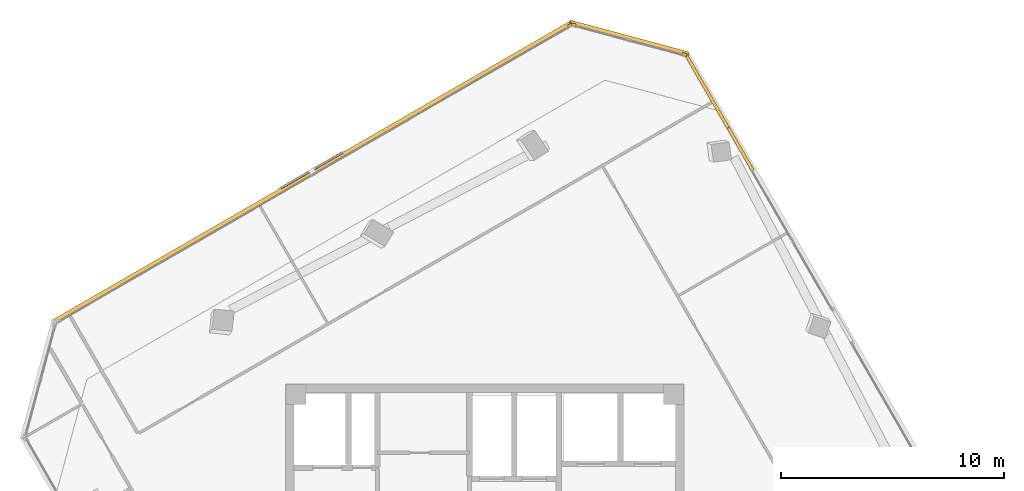
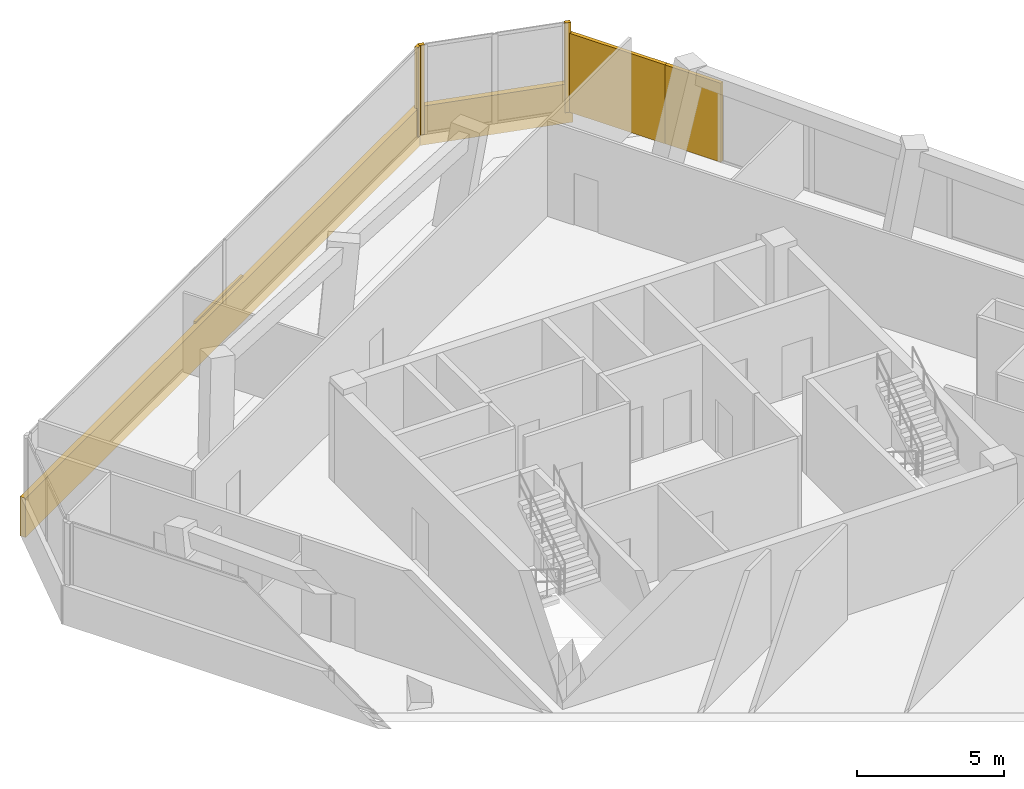
# One storey, part 15 of 15: 7 coverings, 1 shading device.
"""IFC4 building model written with IfcOpenShell, lengths in metres."""

from ifc_helpers import new_model, si_unit, direction, frame, origin, origin_2d, place, context, subcontext, project, spatial, rectangle, extrude, source, transform, mapped, material, layer, layer_set, type_object, element, save


model = new_model("IFC4")

# Units and contexts
model_context = context("Model", 3, precision=1e-05, world=origin(), true_north=direction((0.0, 1.0)))
body_context = subcontext(model_context, "Body", "Model", "MODEL_VIEW")
ifc_project = project(units=[si_unit("LENGTHUNIT", "METRE"), si_unit("AREAUNIT", "SQUARE_METRE"), si_unit("VOLUMEUNIT", "CUBIC_METRE"), si_unit("PLANEANGLEUNIT", "RADIAN"), si_unit("MASSUNIT", "GRAM", prefix="KILO")], contexts=[model_context])

# Site, building, storey
site_placement = place(None, origin())
site = spatial("IfcSite", under=ifc_project, at=site_placement, CompositionType="ELEMENT")
building_placement = place(site_placement, origin())
building = spatial("IfcBuilding", under=site, at=building_placement, Name="Torre Montelarca", CompositionType="ELEMENT")
storey_placement = place(building_placement, frame((0.0, 0.0, 324.0)))
storey = spatial("IfcBuildingStorey", under=building, at=storey_placement, Name="L73", CompositionType="ELEMENT", Elevation=324.0)

# Shading device
ifc_material_1 = material(Name="Architectural perforated terracotta ceramic", Category="masonry")
ifc_layer_1 = layer(ifc_material_1, 0.080078125, Name="Architectural perforated terracotta ceramic", Category="masonry")
ifc_layer_set_1 = layer_set([ifc_layer_1], Name="Architectural perforated terracotta ceramic")
shading_device_type = type_object("IfcShadingDeviceType", Name="SHD-JALOUSIE-1", PredefinedType="JALOUSIE", material=ifc_layer_set_1)
shared_shape_1 = source(origin(), body_context, "Body", "SweptSolid", [
    extrude(rectangle(XDim=3.199951171875, YDim=0.10009765625, at=origin_2d()), origin(), (0.0, 0.0, 1.0), 1.25),
])
shading_device_placement = place(storey_placement, frame((10.243896484375, 49.49609375, -0.0048828125), z_axis=(0.0, 0.0, 1.0), x_axis=(-0.866025403784, -0.5, 0.0)))
element("IfcShadingDevice", 1, at=shading_device_placement, inside=storey, type_object=shading_device_type, Name="L73 Facade Solar Shading Device E10", PredefinedType="JALOUSIE", context=body_context, shape_type="MappedRepresentation", body=[
    mapped(shared_shape_1, transform((0.0, 0.0, 0.0), scale=1.0)),
])

# Coverings
ifc_material_2 = material(Name="Bush-hammered warm white precast concrete C45/55", Category="concrete")
ifc_layer_2 = layer(ifc_material_2, 0.139892578125, Name="Bush-hammered warm white precast concrete C45/55", Category="concrete")
ifc_layer_set_2 = layer_set([ifc_layer_2], Name="Bush-hammered warm white precast concrete C45/55")
covering_type = type_object("IfcCoveringType", Name="COV-TRAY-CLAD", PredefinedType="CLADDING", material=ifc_layer_set_2)
shared_shape_2 = source(origin(), body_context, "Body", "SweptSolid", [
    extrude(rectangle(XDim=0.199951171875, YDim=0.139892578125, at=origin_2d()), origin(), (0.0, 0.0, 1.0), 3.719970703125),
])
for number, where, z_axis, x_axis, name in (
    (2, (26.9443359375, 54.678955078125, 0.0), (0.0, 0.0, 1.0), (-0.965925374563, 0.258820730961, 0.0), "L73 Architectural Column Pier Cladding E09-1"),
    (3, (21.977294921875, 56.009765625, 0.0), (0.0, 0.0, 1.0), (-0.965925374563, 0.258820730961, 0.0), "L73 Architectural Column Pier Cladding E09-2"),
    (4, (21.83349609375, 55.99072265625, 0.0), (0.0, 0.0, 1.0), (-0.866025403784, -0.5, 0.0), "L73 Architectural Column Pier Cladding E10-1"),
):
    element("IfcCovering", number, at=place(storey_placement, frame(where, z_axis=z_axis, x_axis=x_axis)), inside=storey, type_object=covering_type, Name=name, PredefinedType="CLADDING", context=body_context, shape_type="MappedRepresentation", body=[
        mapped(shared_shape_2, transform((0.0, 0.0, 0.0), scale=1.0)),
    ])
shared_shape_3 = source(origin(), body_context, "Body", "SweptSolid", [
    extrude(rectangle(XDim=5.493896484375, YDim=0.219970703125, at=origin_2d()), origin(), (0.0, 0.0, 1.0), 1.6201171875),
])
covering_1_placement = place(storey_placement, frame((24.476318359375, 55.40234375, -0.449951171875), z_axis=(0.0, 0.0, 1.0), x_axis=(-0.965925826289, 0.258819045103, 0.0)))
element("IfcCovering", 5, at=covering_1_placement, inside=storey, type_object=covering_type, Name="L73 Architectural White Spandrel Tray Band TRYBOT-09", PredefinedType="CLADDING", context=body_context, shape_type="MappedRepresentation", body=[
    mapped(shared_shape_3, transform((0.0, 0.0, 0.0), scale=1.0)),
])
shared_shape_4 = source(origin(), body_context, "Body", "SweptSolid", [
    extrude(rectangle(XDim=26.919921875, YDim=0.219970703125, at=origin_2d()), origin(), (0.0, 0.0, 1.0), 1.6201171875),
])
covering_2_placement = place(storey_placement, frame((10.298828125, 49.400634765625, -0.449951171875), z_axis=(0.0, 0.0, 1.0), x_axis=(-0.866025403784, -0.5, 0.0)))
element("IfcCovering", 6, at=covering_2_placement, inside=storey, type_object=covering_type, Name="L73 Architectural White Spandrel Tray Band TRYBOT-10", PredefinedType="CLADDING", context=body_context, shape_type="MappedRepresentation", body=[
    mapped(shared_shape_4, transform((0.0, 0.0, 0.0), scale=1.0)),
])
shared_shape_5 = source(origin(), body_context, "Body", "SweptSolid", [
    extrude(rectangle(XDim=2.1962890625, YDim=0.139892578125, at=origin_2d()), origin(), (0.0, 0.0, 1.0), 3.27490234375),
])
covering_3_placement = place(storey_placement, frame((29.453857421875, 50.443359375, 0.0), z_axis=(0.0, 0.0, 1.0), x_axis=(-0.500001511499, 0.866024531118, 0.0)))
element("IfcCovering", 7, at=covering_3_placement, inside=storey, type_object=covering_type, Name="L73 Architectural Column Pier Cladding E08-3", PredefinedType="CLADDING", context=body_context, shape_type="MappedRepresentation", body=[
    mapped(shared_shape_5, transform((0.0, 0.0, 0.0), scale=1.0)),
])
shared_shape_6 = source(origin(), body_context, "Body", "SweptSolid", [
    extrude(rectangle(XDim=3.890625, YDim=0.139892578125, at=origin_2d()), origin(), (0.0, 0.0, 1.0), 3.27490234375),
])
covering_4_placement = place(storey_placement, frame((27.982177734375, 52.992431640625, 0.0), z_axis=(0.0, 0.0, 1.0), x_axis=(-0.500001511499, 0.866024531118, 0.0)))
element("IfcCovering", 8, at=covering_4_placement, inside=storey, type_object=covering_type, Name="L73 Architectural Column Pier Cladding E08-4", PredefinedType="CLADDING", context=body_context, shape_type="MappedRepresentation", body=[
    mapped(shared_shape_6, transform((0.0, 0.0, 0.0), scale=1.0)),
])

save(model, "model.ifc")
